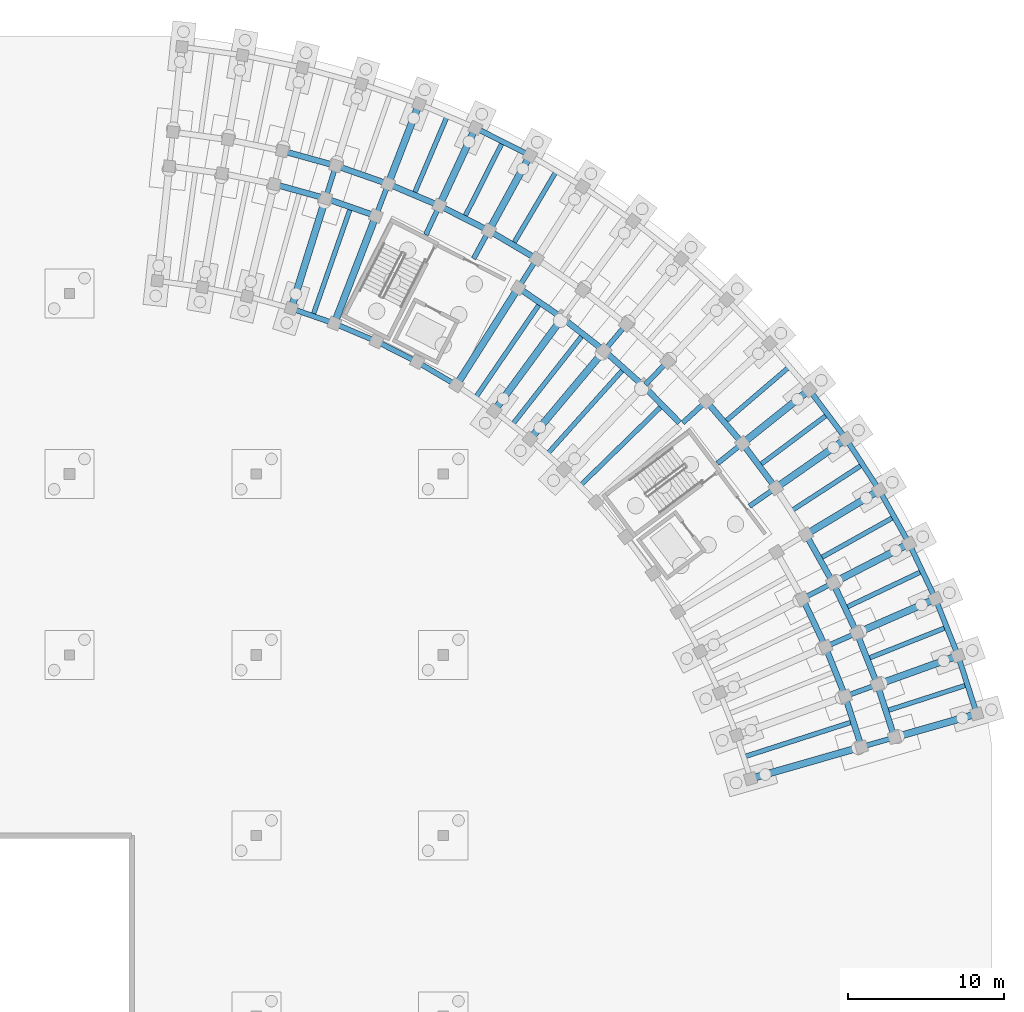
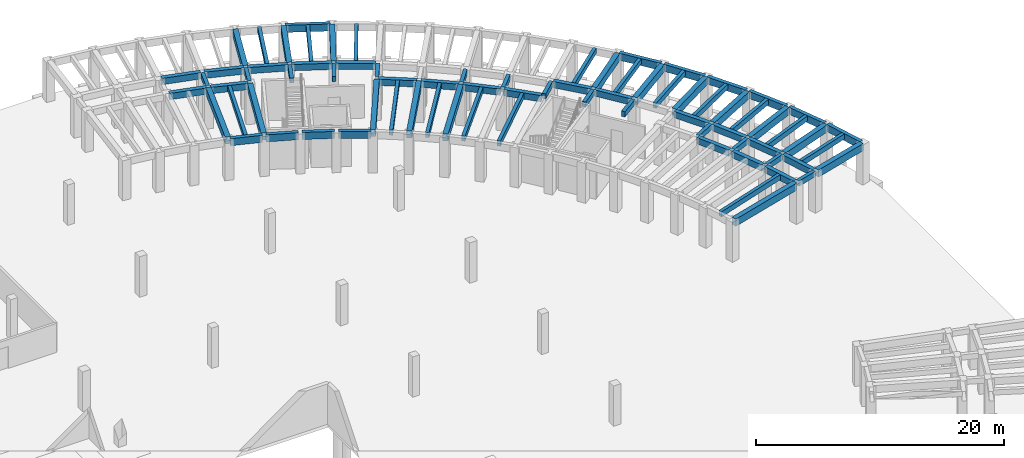
# One storey, part 16 of 29: 77 beams.
"""IFC4 building model written with IfcOpenShell, lengths in metres."""

from ifc_helpers import new_model, si_unit, direction, frame, origin, origin_2d, place, context, subcontext, project, spatial, rectangle, extrude, material, material_profile, profile_set, type_object, element, save


model = new_model("IFC4")

# Units and contexts
model_context = context("Model", 3, precision=1e-05, world=origin(), true_north=direction((0.0, 1.0)))
body_context = subcontext(model_context, "Body", "Model", "MODEL_VIEW")
ifc_project = project(units=[si_unit("LENGTHUNIT", "METRE"), si_unit("AREAUNIT", "SQUARE_METRE"), si_unit("VOLUMEUNIT", "CUBIC_METRE"), si_unit("PLANEANGLEUNIT", "RADIAN"), si_unit("MASSUNIT", "GRAM", prefix="KILO")], contexts=[model_context])

# Site, building, storey
site_placement = place(None, origin())
site = spatial("IfcSite", under=ifc_project, at=site_placement, CompositionType="ELEMENT")
building_placement = place(site_placement, origin())
building = spatial("IfcBuilding", under=site, at=building_placement, Name="Tanwirah Colonnade Gardens", CompositionType="ELEMENT")
storey_placement = place(building_placement, frame((0.0, 0.0, -4.199951171875)))
storey = spatial("IfcBuildingStorey", under=building, at=storey_placement, Name="B1", CompositionType="ELEMENT", Elevation=-4.199951171875)

# Beams
ifc_material_1 = material(Name="Precast concrete C40/50", Category="concrete")
ifc_material_profile_1 = material_profile(ifc_material_1, rectangle(XDim=0.320068359375, YDim=0.52001953125, at=origin_2d()), Name="PC-BM 320x520")
ifc_profile_set_1 = profile_set([ifc_material_profile_1], Name="Precast concrete C40/50")
beam_type_1 = type_object("IfcBeamType", Name="BM-PC320", PredefinedType="BEAM", material=ifc_profile_set_1)
for number, where, z_axis, x_axis, name in (
    (1, (170.985595703125, 74.533203125, 3.659912109375), (0.961266538157, 0.275620468433, 0.0), (-0.275620468433, 0.961266538157, 0.0), "Block B B1 Corridor Tie Beam 0"),
    (2, (169.9326171875, 77.79541015625, 3.659912109375), (0.941021664552, 0.338346311999, 0.0), (-0.338346311999, 0.941021664552, 0.0), "Block B B1 Corridor Tie Beam 1"),
    (3, (168.6669921875, 80.981201171875, 3.659912109375), (0.916681481826, 0.399618644306, 0.0), (-0.399618644306, 0.916681481826, 0.0), "Block B B1 Corridor Tie Beam 2"),
):
    element("IfcBeam", number, at=place(storey_placement, frame(where, z_axis=z_axis, x_axis=x_axis)), inside=storey, type_object=beam_type_1, Name=name, PredefinedType="BEAM", context=body_context, shape_type="SweptSolid", body=[
        extrude(rectangle(XDim=0.320068359375, YDim=0.52001953125, at=origin_2d()), origin(), (0.0, 0.0, 1.0), 1.89990234375),
    ])
beam_1_placement = place(storey_placement, frame((167.194091796875, 84.07666015625, 3.659912109375), z_axis=(0.888385730697, 0.459097803844, 0.0), x_axis=(-0.459097803844, 0.888385730697, 0.0)))
element("IfcBeam", 4, at=beam_1_placement, inside=storey, type_object=beam_type_1, Name="Block B B1 Corridor Tie Beam 3", PredefinedType="BEAM", context=body_context, shape_type="SweptSolid", body=[
    extrude(rectangle(XDim=0.320068359375, YDim=0.52001953125, at=origin_2d()), origin(), (0.0, 0.0, 1.0), 1.900146484375),
])
for number, where, z_axis, x_axis, name in (
    (5, (163.653564453125, 89.943359375, 3.659912109375), (0.820305001782, 0.571926309983, 0.0), (-0.571926309983, 0.820305001782, 0.0), "Block B B1 Corridor Tie Beam 5"),
    (6, (161.601318359375, 92.68896484375, 3.659912109375), (0.78073089418, 0.624867402633, 0.0), (-0.624867402633, 0.78073089418, 0.0), "Block B B1 Corridor Tie Beam 6"),
    (7, (159.37255859375, 95.29345703125, 3.659912109375), (0.737948361517, 0.674857181732, 0.0), (-0.674857181732, 0.737948361517, 0.0), "Block B B1 Corridor Tie Beam 7"),
):
    element("IfcBeam", number, at=place(storey_placement, frame(where, z_axis=z_axis, x_axis=x_axis)), inside=storey, type_object=beam_type_1, Name=name, PredefinedType="BEAM", context=body_context, shape_type="SweptSolid", body=[
        extrude(rectangle(XDim=0.320068359375, YDim=0.52001953125, at=origin_2d()), origin(), (0.0, 0.0, 1.0), 1.89990234375),
    ])
beam_2_placement = place(storey_placement, frame((156.976806640625, 97.74560546875, 3.659912109375), z_axis=(0.691913735329, 0.721980181766, 0.0), x_axis=(-0.721980181766, 0.691913735329, 0.0)))
element("IfcBeam", 8, at=beam_2_placement, inside=storey, type_object=beam_type_1, Name="Block B B1 Corridor Tie Beam 8", PredefinedType="BEAM", context=body_context, shape_type="SweptSolid", body=[
    extrude(rectangle(XDim=0.320068359375, YDim=0.52001953125, at=origin_2d()), origin(), (0.0, 0.0, 1.0), 1.900146484375),
])
for number, where, z_axis, x_axis, name in (
    (9, (154.425048828125, 100.034423828125, 3.659912109375), (0.642797194343, 0.766036400535, 0.0), (-0.766036400535, 0.642797194343, 0.0), "Block B B1 Corridor Tie Beam 9"),
    (10, (148.89697265625, 104.08349609375, 3.659912109375), (0.536509579595, 0.843894229749, 0.0), (-0.843894229749, 0.536509579595, 0.0), "Block B B1 Corridor Tie Beam 11"),
    (11, (145.945068359375, 105.826171875, 3.659912109375), (0.479707235792, 0.877428611301, 0.0), (-0.877428611301, 0.479707235792, 0.0), "Block B B1 Corridor Tie Beam 12"),
    (12, (142.884765625, 107.37060546875, 3.659912109375), (0.420858322681, 0.90712638162, 0.0), (-0.90712638162, 0.420858322681, 0.0), "Block B B1 Corridor Tie Beam 13"),
    (13, (139.729248046875, 108.7099609375, 3.659912109375), (0.360175656082, 0.932884503444, 0.0), (-0.932884503444, 0.360175656082, 0.0), "Block B B1 Corridor Tie Beam 14"),
    (14, (136.492431640625, 109.838623046875, 3.659912109375), (0.297857918398, 0.954610213882, 0.0), (-0.954610213882, 0.297857918398, 0.0), "Block B B1 Corridor Tie Beam 15"),
):
    element("IfcBeam", number, at=place(storey_placement, frame(where, z_axis=z_axis, x_axis=x_axis)), inside=storey, type_object=beam_type_1, Name=name, PredefinedType="BEAM", context=body_context, shape_type="SweptSolid", body=[
        extrude(rectangle(XDim=0.320068359375, YDim=0.52001953125, at=origin_2d()), origin(), (0.0, 0.0, 1.0), 1.89990234375),
    ])
ifc_material_profile_2 = material_profile(ifc_material_1, rectangle(XDim=0.3798828125, YDim=0.6201171875, at=origin_2d()), Name="PC-BM 380x620")
ifc_profile_set_2 = profile_set([ifc_material_profile_2], Name="Precast concrete C40/50")
beam_type_2 = type_object("IfcBeamType", Name="BM-PC380", PredefinedType="BEAM", material=ifc_profile_set_2)
beam_3_placement = place(storey_placement, frame((170.79541015625, 74.634521484375, 3.60986328125), z_axis=(-0.307169780148, 0.951654730542, 0.0), x_axis=(-0.951654730542, -0.307169780148, 0.0)))
element("IfcBeam", 15, at=beam_3_placement, inside=storey, type_object=beam_type_2, Name="Block B B1 Circumferential Beam 0-R1", PredefinedType="BEAM", context=body_context, shape_type="SweptSolid", body=[
    extrude(rectangle(XDim=0.3798828125, YDim=0.6201171875, at=origin_2d()), origin(), (0.0, 0.0, 1.0), 3.117919921875),
])
beam_4_placement = place(storey_placement, frame((172.91015625, 75.240966796875, 3.60986328125), z_axis=(-0.307212636327, 0.9516408966, 0.0), x_axis=(-0.9516408966, -0.307212636327, 0.0)))
element("IfcBeam", 16, at=beam_4_placement, inside=storey, type_object=beam_type_2, Name="Block B B1 Circumferential Beam 0-R2", PredefinedType="BEAM", context=body_context, shape_type="SweptSolid", body=[
    extrude(rectangle(XDim=0.3798828125, YDim=0.6201171875, at=origin_2d()), origin(), (0.0, 0.0, 1.0), 3.262939453125),
])
beam_5_placement = place(storey_placement, frame((169.736083984375, 77.884033203125, 3.60986328125), z_axis=(-0.369189105832, 0.929354294193, 0.0), x_axis=(-0.929354294193, -0.369189105832, 0.0)))
element("IfcBeam", 17, at=beam_5_placement, inside=storey, type_object=beam_type_2, Name="Block B B1 Circumferential Beam 1-R1", PredefinedType="BEAM", context=body_context, shape_type="SweptSolid", body=[
    extrude(rectangle(XDim=0.3798828125, YDim=0.6201171875, at=origin_2d()), origin(), (0.0, 0.0, 1.0), 3.117919921875),
])
beam_6_placement = place(storey_placement, frame((171.806396484375, 78.62841796875, 3.60986328125), z_axis=(-0.369209712056, 0.929346108037, 0.0), x_axis=(-0.929346108037, -0.369209712056, 0.0)))
element("IfcBeam", 18, at=beam_6_placement, inside=storey, type_object=beam_type_2, Name="Block B B1 Circumferential Beam 1-R2", PredefinedType="BEAM", context=body_context, shape_type="SweptSolid", body=[
    extrude(rectangle(XDim=0.3798828125, YDim=0.6201171875, at=origin_2d()), origin(), (0.0, 0.0, 1.0), 3.26318359375),
])
beam_7_placement = place(storey_placement, frame((168.465087890625, 81.056640625, 3.60986328125), z_axis=(-0.429620507728, 0.903009534468, 0.0), x_axis=(-0.903009534468, -0.429620507728, 0.0)))
element("IfcBeam", 19, at=beam_7_placement, inside=storey, type_object=beam_type_2, Name="Block B B1 Circumferential Beam 2-R1", PredefinedType="BEAM", context=body_context, shape_type="SweptSolid", body=[
    extrude(rectangle(XDim=0.3798828125, YDim=0.6201171875, at=origin_2d()), origin(), (0.0, 0.0, 1.0), 3.1181640625),
])
beam_8_placement = place(storey_placement, frame((170.481689453125, 81.935791015625, 3.60986328125), z_axis=(-0.4295908638, 0.90302363742, 0.0), x_axis=(-0.90302363742, -0.4295908638, 0.0)))
element("IfcBeam", 20, at=beam_8_placement, inside=storey, type_object=beam_type_2, Name="Block B B1 Circumferential Beam 2-R2", PredefinedType="BEAM", context=body_context, shape_type="SweptSolid", body=[
    extrude(rectangle(XDim=0.3798828125, YDim=0.6201171875, at=origin_2d()), origin(), (0.0, 0.0, 1.0), 3.26318359375),
])
for number, where, z_axis, x_axis, name in (
    (21, (168.942138671875, 85.14892578125, 3.60986328125), (-0.488213717102, 0.87272410671, 0.0), (-0.87272410671, -0.488213717102, 0.0), "Block B B1 Circumferential Beam 3-R2"),
    (22, (165.245361328125, 91.236083984375, 3.60986328125), (-0.59871829396, 0.800959677186, 0.0), (-0.800959677186, -0.59871829396, 0.0), "Block B B1 Circumferential Beam 5-R2"),
):
    element("IfcBeam", number, at=place(storey_placement, frame(where, z_axis=z_axis, x_axis=x_axis)), inside=storey, type_object=beam_type_2, Name=name, PredefinedType="BEAM", context=body_context, shape_type="SweptSolid", body=[
        extrude(rectangle(XDim=0.3798828125, YDim=0.6201171875, at=origin_2d()), origin(), (0.0, 0.0, 1.0), 3.262939453125),
    ])
beam_9_placement = place(storey_placement, frame((163.1044921875, 94.083740234375, 3.60986328125), z_axis=(-0.650218192342, 0.759747525398, 0.0), x_axis=(-0.759747525398, -0.650218192342, 0.0)))
element("IfcBeam", 23, at=beam_9_placement, inside=storey, type_object=beam_type_2, Name="Block B B1 Circumferential Beam 6-R2", PredefinedType="BEAM", context=body_context, shape_type="SweptSolid", body=[
    extrude(rectangle(XDim=0.3798828125, YDim=0.6201171875, at=origin_2d()), origin(), (0.0, 0.0, 1.0), 3.26318359375),
])
beam_10_placement = place(storey_placement, frame((159.156982421875, 95.299560546875, 3.60986328125), z_axis=(-0.698837366631, 0.715280598787, 0.0), x_axis=(-0.715280598787, -0.698837366631, 0.0)))
element("IfcBeam", 24, at=beam_10_placement, inside=storey, type_object=beam_type_2, Name="Block B B1 Circumferential Beam 7-R1", PredefinedType="BEAM", context=body_context, shape_type="SweptSolid", body=[
    extrude(rectangle(XDim=0.3798828125, YDim=0.6201171875, at=origin_2d()), origin(), (0.0, 0.0, 1.0), 3.117919921875),
])
for number, where, z_axis, x_axis, name in (
    (25, (156.761474609375, 97.7373046875, 3.60986328125), (-0.744429866059, 0.667700662363, 0.0), (-0.667700662363, -0.744429866059, 0.0), "Block B B1 Circumferential Beam 8-R1"),
    (26, (154.21044921875, 100.011962890625, 3.60986328125), (-0.78679899272, 0.617209320292, 0.0), (-0.617209320292, -0.78679899272, 0.0), "Block B B1 Circumferential Beam 9-R1"),
):
    element("IfcBeam", number, at=place(storey_placement, frame(where, z_axis=z_axis, x_axis=x_axis)), inside=storey, type_object=beam_type_2, Name=name, PredefinedType="BEAM", context=body_context, shape_type="SweptSolid", body=[
        extrude(rectangle(XDim=0.3798828125, YDim=0.6201171875, at=origin_2d()), origin(), (0.0, 0.0, 1.0), 3.1181640625),
    ])
beam_11_placement = place(storey_placement, frame((151.515380859375, 102.113525390625, 3.60986328125), z_axis=(-0.825758291455, 0.564024152047, 0.0), x_axis=(-0.564024152047, -0.825758291455, 0.0)))
element("IfcBeam", 27, at=beam_11_placement, inside=storey, type_object=beam_type_2, Name="Block B B1 Circumferential Beam 10-R1", PredefinedType="BEAM", context=body_context, shape_type="SweptSolid", body=[
    extrude(rectangle(XDim=0.3798828125, YDim=0.6201171875, at=origin_2d()), origin(), (0.0, 0.0, 1.0), 3.118408203125),
])
for number, where, z_axis, x_axis, name in (
    (28, (149.86767578125, 105.8896484375, 3.60986328125), (-0.861134978964, 0.508376384193, 0.0), (-0.508376384193, -0.861134978964, 0.0), "Block B B1 Circumferential Beam 11-R2"),
    (29, (146.794677734375, 107.6923828125, 3.60986328125), (-0.89276014323, 0.450532270387, 0.0), (-0.450532270387, -0.89276014323, 0.0), "Block B B1 Circumferential Beam 12-R2"),
):
    element("IfcBeam", number, at=place(storey_placement, frame(where, z_axis=z_axis, x_axis=x_axis)), inside=storey, type_object=beam_type_2, Name=name, PredefinedType="BEAM", context=body_context, shape_type="SweptSolid", body=[
        extrude(rectangle(XDim=0.3798828125, YDim=0.6201171875, at=origin_2d()), origin(), (0.0, 0.0, 1.0), 3.26318359375),
    ])
beam_12_placement = place(storey_placement, frame((143.609375, 109.288818359375, 3.60986328125), z_axis=(-0.920513294115, 0.390711242938, 0.0), x_axis=(-0.390711242938, -0.920513294115, 0.0)))
element("IfcBeam", 30, at=beam_12_placement, inside=storey, type_object=beam_type_2, Name="Block B B1 Circumferential Beam 13-R2", PredefinedType="BEAM", context=body_context, shape_type="SweptSolid", body=[
    extrude(rectangle(XDim=0.3798828125, YDim=0.6201171875, at=origin_2d()), origin(), (0.0, 0.0, 1.0), 3.262939453125),
])
beam_13_placement = place(storey_placement, frame((139.53369140625, 108.619384765625, 3.60986328125), z_axis=(-0.944248304077, 0.329234172358, 0.0), x_axis=(-0.329234172358, -0.944248304077, 0.0)))
element("IfcBeam", 31, at=beam_13_placement, inside=storey, type_object=beam_type_2, Name="Block B B1 Circumferential Beam 14-R1", PredefinedType="BEAM", context=body_context, shape_type="SweptSolid", body=[
    extrude(rectangle(XDim=0.3798828125, YDim=0.6201171875, at=origin_2d()), origin(), (0.0, 0.0, 1.0), 3.1181640625),
])
beam_14_placement = place(storey_placement, frame((140.325927734375, 110.671630859375, 3.60986328125), z_axis=(-0.944231021702, 0.329283734272, 0.0), x_axis=(-0.329283734272, -0.944231021702, 0.0)))
element("IfcBeam", 32, at=beam_14_placement, inside=storey, type_object=beam_type_2, Name="Block B B1 Circumferential Beam 14-R2", PredefinedType="BEAM", context=body_context, shape_type="SweptSolid", body=[
    extrude(rectangle(XDim=0.3798828125, YDim=0.6201171875, at=origin_2d()), origin(), (0.0, 0.0, 1.0), 3.262939453125),
])
beam_15_placement = place(storey_placement, frame((136.302978515625, 109.7353515625, 3.60986328125), z_axis=(-0.963889412906, 0.266302834548, 0.0), x_axis=(-0.266302834548, -0.963889412906, 0.0)))
element("IfcBeam", 33, at=beam_15_placement, inside=storey, type_object=beam_type_2, Name="Block B B1 Circumferential Beam 15-R1", PredefinedType="BEAM", context=body_context, shape_type="SweptSolid", body=[
    extrude(rectangle(XDim=0.3798828125, YDim=0.6201171875, at=origin_2d()), origin(), (0.0, 0.0, 1.0), 3.117919921875),
])
beam_16_placement = place(storey_placement, frame((136.95849609375, 111.83544921875, 3.60986328125), z_axis=(-0.9638953302, 0.266281415833, 0.0), x_axis=(-0.266281415833, -0.9638953302, 0.0)))
element("IfcBeam", 34, at=beam_16_placement, inside=storey, type_object=beam_type_2, Name="Block B B1 Circumferential Beam 15-R2", PredefinedType="BEAM", context=body_context, shape_type="SweptSolid", body=[
    extrude(rectangle(XDim=0.3798828125, YDim=0.6201171875, at=origin_2d()), origin(), (0.0, 0.0, 1.0), 3.26318359375),
])
ifc_material_2 = material(Name="Precast concrete C45/55", Category="concrete")
ifc_material_profile_3 = material_profile(ifc_material_2, rectangle(XDim=0.449951171875, YDim=0.699951171875, at=origin_2d()), Name="PC-BM 450x700")
ifc_profile_set_3 = profile_set([ifc_material_profile_3], Name="Precast concrete C45/55")
beam_type_3 = type_object("IfcBeamType", Name="BM-PC450", PredefinedType="BEAM", material=ifc_profile_set_3)
beam_17_placement = place(storey_placement, frame((170.697265625, 74.450439453125, 3.570068359375), z_axis=(-0.961261397636, -0.275638396117, 0.0), x_axis=(0.275638396117, -0.961261397636, 0.0)))
element("IfcBeam", 35, at=beam_17_placement, inside=storey, type_object=beam_type_3, Name="Block B B1 Inner Radial Precast Girder 0", PredefinedType="BEAM", context=body_context, shape_type="SweptSolid", body=[
    extrude(rectangle(XDim=0.449951171875, YDim=0.699951171875, at=origin_2d()), origin(), (0.0, 0.0, 1.0), 7.10009765625),
])
beam_18_placement = place(storey_placement, frame((173.100341796875, 75.1396484375, 3.570068359375), z_axis=(0.961271958689, 0.275601562836, 0.0), x_axis=(-0.275601562836, 0.961271958689, 0.0)))
element("IfcBeam", 36, at=beam_18_placement, inside=storey, type_object=beam_type_3, Name="Block B B1 Outer Radial Precast Girder 0", PredefinedType="BEAM", context=body_context, shape_type="SweptSolid", body=[
    extrude(rectangle(XDim=0.449951171875, YDim=0.699951171875, at=origin_2d()), origin(), (0.0, 0.0, 1.0), 5.199951171875),
])
beam_19_placement = place(storey_placement, frame((172.0029296875, 78.539794921875, 3.570068359375), z_axis=(0.941008854194, 0.338381938538, 0.0), x_axis=(-0.338381938538, 0.941008854194, 0.0)))
element("IfcBeam", 37, at=beam_19_placement, inside=storey, type_object=beam_type_3, Name="Block B B1 Outer Radial Precast Girder 1", PredefinedType="BEAM", context=body_context, shape_type="SweptSolid", body=[
    extrude(rectangle(XDim=0.449951171875, YDim=0.699951171875, at=origin_2d()), origin(), (0.0, 0.0, 1.0), 5.19970703125),
])
beam_20_placement = place(storey_placement, frame((170.68359375, 81.8603515625, 3.570068359375), z_axis=(0.916677002552, 0.399628919115, 0.0), x_axis=(-0.399628919115, 0.916677002552, 0.0)))
element("IfcBeam", 38, at=beam_20_placement, inside=storey, type_object=beam_type_3, Name="Block B B1 Outer Radial Precast Girder 2", PredefinedType="BEAM", context=body_context, shape_type="SweptSolid", body=[
    extrude(rectangle(XDim=0.449951171875, YDim=0.699951171875, at=origin_2d()), origin(), (0.0, 0.0, 1.0), 5.2001953125),
])
beam_21_placement = place(storey_placement, frame((169.148681640625, 85.0869140625, 3.570068359375), z_axis=(0.888346435251, 0.459173835249, 0.0), x_axis=(-0.459173835249, 0.888346435251, 0.0)))
element("IfcBeam", 39, at=beam_21_placement, inside=storey, type_object=beam_type_3, Name="Block B B1 Outer Radial Precast Girder 3", PredefinedType="BEAM", context=body_context, shape_type="SweptSolid", body=[
    extrude(rectangle(XDim=0.449951171875, YDim=0.699951171875, at=origin_2d()), origin(), (0.0, 0.0, 1.0), 5.199951171875),
])
beam_22_placement = place(storey_placement, frame((167.404296875, 88.205078125, 3.570068359375), z_axis=(0.856164383855, 0.516703539584, 0.0), x_axis=(-0.516703539584, 0.856164383855, 0.0)))
element("IfcBeam", 40, at=beam_22_placement, inside=storey, type_object=beam_type_3, Name="Block B B1 Outer Radial Precast Girder 4", PredefinedType="BEAM", context=body_context, shape_type="SweptSolid", body=[
    extrude(rectangle(XDim=0.449951171875, YDim=0.699951171875, at=origin_2d()), origin(), (0.0, 0.0, 1.0), 5.19970703125),
])
for number, where, z_axis, x_axis, name in (
    (41, (165.458251953125, 91.20166015625, 3.570068359375), (0.82026065953, 0.57198990413, 0.0), (-0.57198990413, 0.82026065953, 0.0), "Block B B1 Outer Radial Precast Girder 5"),
    (42, (163.319091796875, 94.0634765625, 3.570068359375), (0.780777191444, 0.62480955284, 0.0), (-0.62480955284, 0.780777191444, 0.0), "Block B B1 Outer Radial Precast Girder 6"),
):
    element("IfcBeam", number, at=place(storey_placement, frame(where, z_axis=z_axis, x_axis=x_axis)), inside=storey, type_object=beam_type_3, Name=name, PredefinedType="BEAM", context=body_context, shape_type="SweptSolid", body=[
        extrude(rectangle(XDim=0.449951171875, YDim=0.699951171875, at=origin_2d()), origin(), (0.0, 0.0, 1.0), 5.199951171875),
    ])
for number, where, z_axis, x_axis, name in (
    (43, (154.232177734375, 99.804443359375, 3.570068359375), (-0.642798473853, -0.76603532687, 0.0), (0.76603532687, -0.642798473853, 0.0), "Block B B1 Inner Radial Precast Girder 9"),
    (44, (151.550537109375, 101.907958984375, 3.570068359375), (-0.590922322036, -0.80672846071, 0.0), (0.80672846071, -0.590922322036, 0.0), "Block B B1 Inner Radial Precast Girder 10"),
    (45, (148.736083984375, 103.830322265625, 3.570068359375), (-0.536477171385, -0.843914832541, 0.0), (0.843914832541, -0.536477171385, 0.0), "Block B B1 Inner Radial Precast Girder 11"),
):
    element("IfcBeam", number, at=place(storey_placement, frame(where, z_axis=z_axis, x_axis=x_axis)), inside=storey, type_object=beam_type_3, Name=name, PredefinedType="BEAM", context=body_context, shape_type="SweptSolid", body=[
        extrude(rectangle(XDim=0.449951171875, YDim=0.699951171875, at=origin_2d()), origin(), (0.0, 0.0, 1.0), 7.10009765625),
    ])
for number, where, z_axis, x_axis, name in (
    (46, (147.00048828125, 107.75634765625, 3.570068359375), (0.479684149655, 0.877441232545, 0.0), (-0.877441232545, 0.479684149655, 0.0), "Block B B1 Outer Radial Precast Girder 12"),
    (47, (143.810546875, 109.3662109375, 3.570068359375), (0.420861611985, 0.907124855551, 0.0), (-0.907124855551, 0.420861611985, 0.0), "Block B B1 Outer Radial Precast Girder 13"),
):
    element("IfcBeam", number, at=place(storey_placement, frame(where, z_axis=z_axis, x_axis=x_axis)), inside=storey, type_object=beam_type_3, Name=name, PredefinedType="BEAM", context=body_context, shape_type="SweptSolid", body=[
        extrude(rectangle(XDim=0.449951171875, YDim=0.699951171875, at=origin_2d()), origin(), (0.0, 0.0, 1.0), 5.199951171875),
    ])
beam_23_placement = place(storey_placement, frame((139.62109375, 108.43017578125, 3.570068359375), z_axis=(-0.360158550024, -0.93289110771, 0.0), x_axis=(0.93289110771, -0.360158550024, 0.0)))
element("IfcBeam", 48, at=beam_23_placement, inside=storey, type_object=beam_type_3, Name="Block B B1 Inner Radial Precast Girder 14", PredefinedType="BEAM", context=body_context, shape_type="SweptSolid", body=[
    extrude(rectangle(XDim=0.449951171875, YDim=0.699951171875, at=origin_2d()), origin(), (0.0, 0.0, 1.0), 7.10009765625),
])
beam_24_placement = place(storey_placement, frame((140.521728515625, 110.76220703125, 3.570068359375), z_axis=(0.360152299809, 0.932893520688, 0.0), x_axis=(-0.932893520688, 0.360152299809, 0.0)))
element("IfcBeam", 49, at=beam_24_placement, inside=storey, type_object=beam_type_3, Name="Block B B1 Outer Radial Precast Girder 14", PredefinedType="BEAM", context=body_context, shape_type="SweptSolid", body=[
    extrude(rectangle(XDim=0.449951171875, YDim=0.699951171875, at=origin_2d()), origin(), (0.0, 0.0, 1.0), 5.199951171875),
])
beam_25_placement = place(storey_placement, frame((136.403076171875, 109.55224609375, 3.570068359375), z_axis=(-0.297951921971, -0.954580877765, 0.0), x_axis=(0.954580877765, -0.297951921971, 0.0)))
element("IfcBeam", 50, at=beam_25_placement, inside=storey, type_object=beam_type_3, Name="Block B B1 Inner Radial Precast Girder 15", PredefinedType="BEAM", context=body_context, shape_type="SweptSolid", body=[
    extrude(rectangle(XDim=0.449951171875, YDim=0.699951171875, at=origin_2d()), origin(), (0.0, 0.0, 1.0), 7.10009765625),
])
ifc_material_profile_4 = material_profile(ifc_material_1, rectangle(XDim=0.300048828125, YDim=0.5, at=origin_2d()), Name="PC-JST 300x500")
ifc_profile_set_4 = profile_set([ifc_material_profile_4], Name="Precast concrete C40/50")
beam_type_4 = type_object("IfcBeamType", Name="JST-PC300", PredefinedType="JOIST", material=ifc_profile_set_4)
beam_26_placement = place(storey_placement, frame((172.551025390625, 76.839599609375, 3.669921875), z_axis=(0.951656985441, 0.307162794072, 0.0), x_axis=(-0.307162794072, 0.951656985441, 0.0)))
element("IfcBeam", 51, at=beam_26_placement, inside=storey, type_object=beam_type_4, Name="Block B B1 Precast Floor Joist 0", PredefinedType="JOIST", context=body_context, shape_type="SweptSolid", body=[
    extrude(rectangle(XDim=0.300048828125, YDim=0.5, at=origin_2d()), origin(), (0.0, 0.0, 1.0), 5.26025390625),
])
beam_27_placement = place(storey_placement, frame((163.415283203125, 73.890625, 3.669921875), z_axis=(0.951647858625, 0.307191069489, 0.0), x_axis=(-0.307191069489, 0.951647858625, 0.0)))
element("IfcBeam", 52, at=beam_27_placement, inside=storey, type_object=beam_type_4, Name="Block B B1 Inner Precast Floor Joist 0", PredefinedType="JOIST", context=body_context, shape_type="SweptSolid", body=[
    extrude(rectangle(XDim=0.300048828125, YDim=0.5, at=origin_2d()), origin(), (0.0, 0.0, 1.0), 7.159912109375),
])
beam_28_placement = place(storey_placement, frame((171.3427734375, 80.199951171875, 3.669921875), z_axis=(0.929357539836, 0.369180935517, 0.0), x_axis=(-0.369180935517, 0.929357539836, 0.0)))
element("IfcBeam", 53, at=beam_28_placement, inside=storey, type_object=beam_type_4, Name="Block B B1 Precast Floor Joist 1", PredefinedType="JOIST", context=body_context, shape_type="SweptSolid", body=[
    extrude(rectangle(XDim=0.300048828125, YDim=0.5, at=origin_2d()), origin(), (0.0, 0.0, 1.0), 5.260009765625),
])
beam_29_placement = place(storey_placement, frame((169.91552734375, 83.473388671875, 3.669921875), z_axis=(0.903018314862, 0.429602051931, 0.0), x_axis=(-0.429602051931, 0.903018314862, 0.0)))
element("IfcBeam", 54, at=beam_29_placement, inside=storey, type_object=beam_type_4, Name="Block B B1 Precast Floor Joist 2", PredefinedType="JOIST", context=body_context, shape_type="SweptSolid", body=[
    extrude(rectangle(XDim=0.300048828125, YDim=0.5, at=origin_2d()), origin(), (0.0, 0.0, 1.0), 5.26025390625),
])
beam_30_placement = place(storey_placement, frame((168.27587890625, 86.645751953125, 3.669921875), z_axis=(0.872737031138, 0.488190612855, 0.0), x_axis=(-0.488190612855, 0.872737031138, 0.0)))
element("IfcBeam", 55, at=beam_30_placement, inside=storey, type_object=beam_type_4, Name="Block B B1 Precast Floor Joist 3", PredefinedType="JOIST", context=body_context, shape_type="SweptSolid", body=[
    extrude(rectangle(XDim=0.300048828125, YDim=0.5, at=origin_2d()), origin(), (0.0, 0.0, 1.0), 5.260009765625),
])
beam_31_placement = place(storey_placement, frame((166.4306640625, 89.703125, 3.669921875), z_axis=(0.83868742622, 0.544613074669, 0.0), x_axis=(-0.544613074669, 0.83868742622, 0.0)))
element("IfcBeam", 56, at=beam_31_placement, inside=storey, type_object=beam_type_4, Name="Block B B1 Precast Floor Joist 4", PredefinedType="JOIST", context=body_context, shape_type="SweptSolid", body=[
    extrude(rectangle(XDim=0.300048828125, YDim=0.5, at=origin_2d()), origin(), (0.0, 0.0, 1.0), 5.26025390625),
])
beam_32_placement = place(storey_placement, frame((164.38818359375, 92.63232421875, 3.669921875), z_axis=(0.800973647215, 0.598699604533, 0.0), x_axis=(-0.598699604533, 0.800973647215, 0.0)))
element("IfcBeam", 57, at=beam_32_placement, inside=storey, type_object=beam_type_4, Name="Block B B1 Precast Floor Joist 5", PredefinedType="JOIST", context=body_context, shape_type="SweptSolid", body=[
    extrude(rectangle(XDim=0.300048828125, YDim=0.5, at=origin_2d()), origin(), (0.0, 0.0, 1.0), 5.260009765625),
])
beam_33_placement = place(storey_placement, frame((162.156982421875, 95.42041015625, 3.669921875), z_axis=(0.759770723643, 0.65019108537, 0.0), x_axis=(-0.65019108537, 0.759770723643, 0.0)))
element("IfcBeam", 58, at=beam_33_placement, inside=storey, type_object=beam_type_4, Name="Block B B1 Precast Floor Joist 6", PredefinedType="JOIST", context=body_context, shape_type="SweptSolid", body=[
    extrude(rectangle(XDim=0.300048828125, YDim=0.5, at=origin_2d()), origin(), (0.0, 0.0, 1.0), 5.26025390625),
])
beam_34_placement = place(storey_placement, frame((152.88037109375, 91.346923828125, 3.669921875), z_axis=(0.715276680509, 0.698841377081, 0.0), x_axis=(-0.698841377081, 0.715276680509, 0.0)))
element("IfcBeam", 59, at=beam_34_placement, inside=storey, type_object=beam_type_4, Name="Block B B1 Inner Precast Floor Joist 7", PredefinedType="JOIST", context=body_context, shape_type="SweptSolid", body=[
    extrude(rectangle(XDim=0.300048828125, YDim=0.5, at=origin_2d()), origin(), (0.0, 0.0, 1.0), 7.159912109375),
])
beam_35_placement = place(storey_placement, frame((150.7587890625, 93.379638671875, 3.669921875), z_axis=(0.667688404274, 0.744440860511, 0.0), x_axis=(-0.744440860511, 0.667688404274, 0.0)))
element("IfcBeam", 60, at=beam_35_placement, inside=storey, type_object=beam_type_4, Name="Block B B1 Inner Precast Floor Joist 8", PredefinedType="JOIST", context=body_context, shape_type="SweptSolid", body=[
    extrude(rectangle(XDim=0.300048828125, YDim=0.5, at=origin_2d()), origin(), (0.0, 0.0, 1.0), 7.16015625),
])
for number, where, z_axis, x_axis, name in (
    (61, (148.508056640625, 95.268310546875, 3.669921875), (0.617202438917, 0.786804390808, 0.0), (-0.786804390808, 0.617202438917, 0.0), "Block B B1 Inner Precast Floor Joist 9"),
    (62, (146.1376953125, 97.004638671875, 3.669921875), (0.564021195806, 0.825760310672, 0.0), (-0.825760310672, 0.564021195806, 0.0), "Block B B1 Inner Precast Floor Joist 10"),
):
    element("IfcBeam", number, at=place(storey_placement, frame(where, z_axis=z_axis, x_axis=x_axis)), inside=storey, type_object=beam_type_4, Name=name, PredefinedType="JOIST", context=body_context, shape_type="SweptSolid", body=[
        extrude(rectangle(XDim=0.300048828125, YDim=0.5, at=origin_2d()), origin(), (0.0, 0.0, 1.0), 7.159912109375),
    ])
for number, where, z_axis, x_axis, name in (
    (63, (148.53857421875, 106.84765625, 3.669921875), (0.508360236823, 0.86114451146, 0.0), (-0.86114451146, 0.508360236823, 0.0), "Block B B1 Precast Floor Joist 11"),
    (64, (145.4052734375, 108.560791015625, 3.669921875), (0.450533699488, 0.892759422031, 0.0), (-0.892759422031, 0.450533699488, 0.0), "Block B B1 Precast Floor Joist 12"),
):
    element("IfcBeam", number, at=place(storey_placement, frame(where, z_axis=z_axis, x_axis=x_axis)), inside=storey, type_object=beam_type_4, Name=name, PredefinedType="JOIST", context=body_context, shape_type="SweptSolid", body=[
        extrude(rectangle(XDim=0.300048828125, YDim=0.5, at=origin_2d()), origin(), (0.0, 0.0, 1.0), 5.26025390625),
    ])
beam_36_placement = place(storey_placement, frame((142.166015625, 110.063720703125, 3.669921875), z_axis=(0.390723870106, 0.92050793442, 0.0), x_axis=(-0.92050793442, 0.390723870106, 0.0)))
element("IfcBeam", 65, at=beam_36_placement, inside=storey, type_object=beam_type_4, Name="Block B B1 Precast Floor Joist 13", PredefinedType="JOIST", context=body_context, shape_type="SweptSolid", body=[
    extrude(rectangle(XDim=0.300048828125, YDim=0.5, at=origin_2d()), origin(), (0.0, 0.0, 1.0), 5.260009765625),
])
beam_37_placement = place(storey_placement, frame((135.673828125, 102.28515625, 3.669921875), z_axis=(0.329250558112, 0.944242590642, 0.0), x_axis=(-0.944242590642, 0.329250558112, 0.0)))
element("IfcBeam", 66, at=beam_37_placement, inside=storey, type_object=beam_type_4, Name="Block B B1 Inner Precast Floor Joist 14", PredefinedType="JOIST", context=body_context, shape_type="SweptSolid", body=[
    extrude(rectangle(XDim=0.300048828125, YDim=0.5, at=origin_2d()), origin(), (0.0, 0.0, 1.0), 7.159912109375),
])
ifc_material_profile_5 = material_profile(ifc_material_1, rectangle(XDim=0.3349609375, YDim=0.695068359375, at=origin_2d()), Name="PC-SP 335x695")
ifc_profile_set_5 = profile_set([ifc_material_profile_5], Name="Precast concrete C40/50")
beam_type_5 = type_object("IfcBeamType", Name="SP-PC300", PredefinedType="SPANDREL", material=ifc_profile_set_5)
for number, where, z_axis, x_axis, name in (
    (67, (178.197021484375, 76.7568359375, 3.572509765625), (-0.307183773768, 0.951650213647, 0.0), (-0.951650213647, -0.307183773768, 0.0), "Block B B1 Circumferential Beam 0-R3"),
    (68, (176.98193359375, 80.489501953125, 3.572509765625), (-0.369195460985, 0.929351769562, 0.0), (-0.929351769562, -0.369195460985, 0.0), "Block B B1 Circumferential Beam 1-R3"),
    (69, (175.5234375, 84.1337890625, 3.572509765625), (-0.429593766142, 0.903022256698, 0.0), (-0.903022256698, -0.429593766142, 0.0), "Block B B1 Circumferential Beam 2-R3"),
    (70, (173.828125, 87.67431640625, 3.572509765625), (-0.488236312193, 0.872711466326, 0.0), (-0.872711466326, -0.488236312193, 0.0), "Block B B1 Circumferential Beam 3-R3"),
    (71, (171.903076171875, 91.09521484375, 3.572509765625), (-0.544621436184, 0.838681996497, 0.0), (-0.838681996497, -0.544621436184, 0.0), "Block B B1 Circumferential Beam 4-R3"),
    (72, (169.7568359375, 94.382080078125, 3.572509765625), (-0.598695554058, 0.800976674786, 0.0), (-0.800976674786, -0.598695554058, 0.0), "Block B B1 Circumferential Beam 5-R3"),
):
    element("IfcBeam", number, at=place(storey_placement, frame(where, z_axis=z_axis, x_axis=x_axis)), inside=storey, type_object=beam_type_5, Name=name, PredefinedType="SPANDREL", context=body_context, shape_type="SweptSolid", body=[
        extrude(rectangle(XDim=0.3349609375, YDim=0.695068359375, at=origin_2d()), origin(), (0.0, 0.0, 1.0), 3.625732421875),
    ])
for number, where, z_axis, x_axis, name in (
    (73, (144.717529296875, 97.7880859375, 3.572509765625), (-0.861148181788, 0.508354019363, 0.0), (-0.508354019363, -0.861148181788, 0.0), "Block B B1 Circumferential Beam 11-R0"),
    (74, (142.189453125, 99.26904296875, 3.572509765625), (-0.892769015158, 0.450514689632, 0.0), (-0.450514689632, -0.892769015158, 0.0), "Block B B1 Circumferential Beam 12-R0"),
):
    element("IfcBeam", number, at=place(storey_placement, frame(where, z_axis=z_axis, x_axis=x_axis)), inside=storey, type_object=beam_type_5, Name=name, PredefinedType="SPANDREL", context=body_context, shape_type="SweptSolid", body=[
        extrude(rectangle(XDim=0.3349609375, YDim=0.695068359375, at=origin_2d()), origin(), (0.0, 0.0, 1.0), 2.63037109375),
    ])
beam_38_placement = place(storey_placement, frame((149.43310546875, 112.518310546875, 3.572509765625), z_axis=(-0.892764670911, 0.450523298368, 0.0), x_axis=(-0.450523298368, -0.892764670911, 0.0)))
element("IfcBeam", 75, at=beam_38_placement, inside=storey, type_object=beam_type_5, Name="Block B B1 Circumferential Beam 12-R3", PredefinedType="SPANDREL", context=body_context, shape_type="SweptSolid", body=[
    extrude(rectangle(XDim=0.3349609375, YDim=0.695068359375, at=origin_2d()), origin(), (0.0, 0.0, 1.0), 3.6259765625),
])
for number, where, z_axis, x_axis, name in (
    (76, (139.569091796875, 100.580322265625, 3.572509765625), (-0.920488719784, 0.390769134848, 0.0), (-0.390769134848, -0.920488719784, 0.0), "Block B B1 Circumferential Beam 13-R0"),
    (77, (136.8681640625, 101.716064453125, 3.572509765625), (-0.944249847334, 0.32922974624, 0.0), (-0.32922974624, -0.944249847334, 0.0), "Block B B1 Circumferential Beam 14-R0"),
):
    element("IfcBeam", number, at=place(storey_placement, frame(where, z_axis=z_axis, x_axis=x_axis)), inside=storey, type_object=beam_type_5, Name=name, PredefinedType="SPANDREL", context=body_context, shape_type="SweptSolid", body=[
        extrude(rectangle(XDim=0.3349609375, YDim=0.695068359375, at=origin_2d()), origin(), (0.0, 0.0, 1.0), 2.63037109375),
    ])

save(model, "model.ifc")
